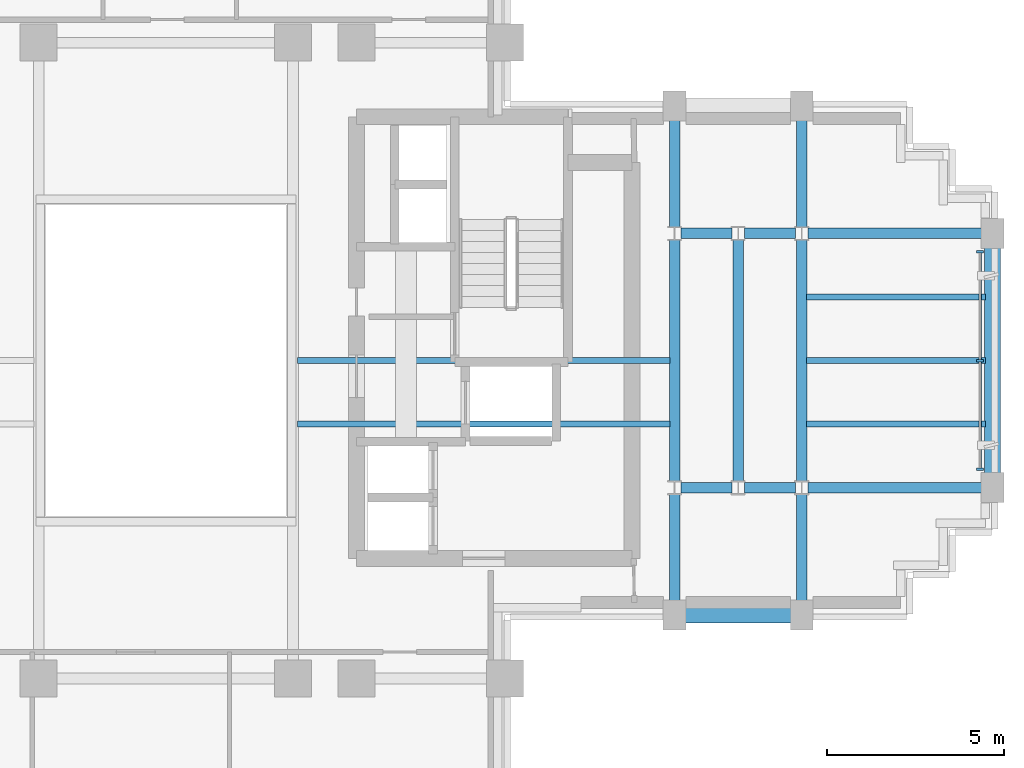
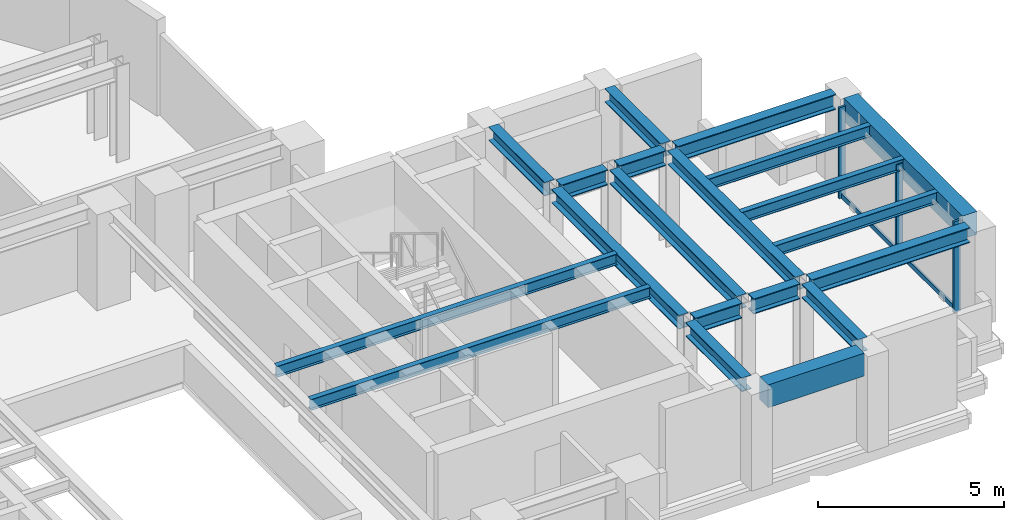
# One storey, part 5 of 13: 20 beams, 5 members, 1 element without a shape of its own.
"""IFC4 building model written with IfcOpenShell, lengths in metres."""

from ifc_helpers import new_model, si_unit, direction, frame, origin, origin_2d, place, context, subcontext, project, spatial, rectangle, i_section, extrude, source, transform, mapped, material, material_profile, profile_set, type_object, element, aggregate, save


model = new_model("IFC4")

# Units and contexts
model_context = context("Model", 3, precision=1e-05, world=origin(), true_north=direction((0.0, 1.0)))
body_context = subcontext(model_context, "Body", "Model", "MODEL_VIEW")
ifc_project = project(units=[si_unit("LENGTHUNIT", "METRE"), si_unit("AREAUNIT", "SQUARE_METRE"), si_unit("VOLUMEUNIT", "CUBIC_METRE"), si_unit("PLANEANGLEUNIT", "RADIAN"), si_unit("MASSUNIT", "GRAM", prefix="KILO")], contexts=[model_context])

# Site, building, storey
site_placement = place(None, origin())
site = spatial("IfcSite", under=ifc_project, at=site_placement, CompositionType="ELEMENT")
building_placement = place(site_placement, origin())
building = spatial("IfcBuilding", under=site, at=building_placement, Name="Keilestroom Media Tower", CompositionType="ELEMENT")
storey_placement = place(building_placement, frame((0.0, 0.0, 148.199951171875)))
storey = spatial("IfcBuildingStorey", under=building, at=storey_placement, Name="L40", CompositionType="ELEMENT", Elevation=148.199951171875)

# Beams
ifc_material_1 = material(Name="Steel S355", Category="steel")
ifc_material_profile_1 = material_profile(ifc_material_1, i_section(OverallWidth=0.169921875, OverallDepth=0.360107421875, WebThickness=0.008056640625, FlangeThickness=0.0126953125, at=origin_2d()), Name="IPE 360")
ifc_profile_set_1 = profile_set([ifc_material_profile_1], Name="Steel S355")
beam_type_1 = type_object("IfcBeamType", Name="Secondary-Floor-Joist-IPE-360", PredefinedType="JOIST", material=ifc_profile_set_1)
shared_shape_1 = source(origin(), body_context, "Body", "SweptSolid", [
    extrude(i_section(OverallWidth=0.169921875, OverallDepth=0.360107421875, WebThickness=0.008056640625, FlangeThickness=0.0126953125, at=origin_2d()), origin(), (0.0, 0.0, 1.0), 10.5400390625),
])
for number, where, z_axis, x_axis, name in (
    (1, (3.72998046875, -1.800048828125, 2.9599609375), (1.0, 0.0, 0.0), (0.0, 1.0, 0.0), "L40 Beam BJ-5 JST-L40-074"),
    (2, (3.72998046875, 0.0, 2.9599609375), (1.0, 0.0, 0.0), (0.0, 1.0, 0.0), "L40 Beam BJ-5 JST-L40-079"),
):
    element("IfcBeam", number, at=place(storey_placement, frame(where, z_axis=z_axis, x_axis=x_axis)), inside=storey, type_object=beam_type_1, Name=name, PredefinedType="JOIST", context=body_context, shape_type="MappedRepresentation", body=[
        mapped(shared_shape_1, transform((0.0, 0.0, 0.0), x_axis=(1.0, 0.0, 0.0), y_axis=(0.0, 1.0, 0.0), z_axis=(0.0, 0.0, 1.0), scale=1.0)),
    ])
ifc_material_2 = material(Name="Precast concrete C40/50", Category="concrete")
ifc_material_profile_2 = material_profile(ifc_material_2, rectangle(XDim=0.449951171875, YDim=0.75, at=origin_2d()), Name="PC 450x750")
ifc_profile_set_2 = profile_set([ifc_material_profile_2], Name="Precast concrete C40/50")
beam_type_2 = type_object("IfcBeamType", Name="Perimeter-Spandrel-Beam-PC-450x750", PredefinedType="SPANDREL", material=ifc_profile_set_2)
shared_shape_2 = source(origin(), body_context, "Body", "SweptSolid", [
    extrude(rectangle(XDim=0.449951171875, YDim=0.75, at=origin_2d()), origin(), (0.0, 0.0, 1.0), 2.989990234375),
])
beam_1_placement = place(storey_placement, frame((14.705078125, -7.199951171875, 2.76513671875), z_axis=(1.0, 0.0, 0.0), x_axis=(0.0, 1.0, 0.0)))
element("IfcBeam", 3, at=beam_1_placement, inside=storey, type_object=beam_type_2, Name="L40 Beam SPB-1 BM-L40-EW-013", PredefinedType="SPANDREL", context=body_context, shape_type="MappedRepresentation", body=[
    mapped(shared_shape_2, transform((0.0, 0.0, 0.0), x_axis=(1.0, 0.0, 0.0), y_axis=(0.0, 1.0, 0.0), z_axis=(0.0, 0.0, 1.0), scale=1.0)),
])
ifc_material_profile_3 = material_profile(ifc_material_1, i_section(OverallWidth=0.300048828125, OverallDepth=0.5, WebThickness=0.012451171875, FlangeThickness=0.028076171875, at=origin_2d()), Name="HEB 500")
ifc_profile_set_3 = profile_set([ifc_material_profile_3], Name="Steel S355")
beam_type_3 = type_object("IfcBeamType", Name="Primary-Structural-Girder-HEB-500", PredefinedType="BEAM", material=ifc_profile_set_3)
shared_shape_3 = source(origin(), body_context, "Body", "SweptSolid", [
    extrude(i_section(OverallWidth=0.300048828125, OverallDepth=0.5, WebThickness=0.012451171875, FlangeThickness=0.028076171875, at=origin_2d()), origin(), (0.0, 0.0, 1.0), 4.91455078125),
])
for number, where, z_axis, x_axis, name in (
    (4, (18.180419921875, -3.60009765625, 2.89013671875), (1.0, 0.0, 0.0), (0.0, 1.0, 0.0), "L40 Beam BG-6 BM-L40-EW-019"),
    (5, (18.180419921875, 3.60009765625, 2.89013671875), (1.0, 0.0, 0.0), (0.0, 1.0, 0.0), "L40 Beam BG-6 BM-L40-EW-025"),
):
    element("IfcBeam", number, at=place(storey_placement, frame(where, z_axis=z_axis, x_axis=x_axis)), inside=storey, type_object=beam_type_3, Name=name, PredefinedType="BEAM", context=body_context, shape_type="MappedRepresentation", body=[
        mapped(shared_shape_3, transform((0.0, 0.0, 0.0), x_axis=(1.0, 0.0, 0.0), y_axis=(0.0, 1.0, 0.0), z_axis=(0.0, 0.0, 1.0), scale=1.0)),
    ])
shared_shape_4 = source(origin(), body_context, "Body", "SweptSolid", [
    extrude(i_section(OverallWidth=0.300048828125, OverallDepth=0.5, WebThickness=0.012451171875, FlangeThickness=0.028076171875, at=origin_2d()), origin(), (0.0, 0.0, 1.0), 1.43896484375),
])
for number, where, z_axis, x_axis, name in (
    (6, (14.58056640625, -3.60009765625, 2.89013671875), (1.0, 0.0, 0.0), (0.0, 1.0, 0.0), "L40 Beam BG-6 BM-L40-EW-017"),
    (7, (16.380615234375, -3.60009765625, 2.89013671875), (1.0, 0.0, 0.0), (0.0, 1.0, 0.0), "L40 Beam BG-6 BM-L40-EW-018"),
    (8, (14.58056640625, 3.60009765625, 2.89013671875), (1.0, 0.0, 0.0), (0.0, 1.0, 0.0), "L40 Beam BG-6 BM-L40-EW-023"),
    (9, (16.380615234375, 3.60009765625, 2.89013671875), (1.0, 0.0, 0.0), (0.0, 1.0, 0.0), "L40 Beam BG-6 BM-L40-EW-024"),
):
    element("IfcBeam", number, at=place(storey_placement, frame(where, z_axis=z_axis, x_axis=x_axis)), inside=storey, type_object=beam_type_3, Name=name, PredefinedType="BEAM", context=body_context, shape_type="MappedRepresentation", body=[
        mapped(shared_shape_4, transform((0.0, 0.0, 0.0), x_axis=(1.0, 0.0, 0.0), y_axis=(0.0, 1.0, 0.0), z_axis=(0.0, 0.0, 1.0), scale=1.0)),
    ])
shared_shape_5 = source(origin(), body_context, "Body", "SweptSolid", [
    extrude(rectangle(XDim=0.449951171875, YDim=0.75, at=origin_2d()), origin(), (0.0, 0.0, 1.0), 6.39013671875),
])
beam_2_placement = place(storey_placement, frame((23.39990234375, -3.195068359375, 2.76513671875), z_axis=(0.0, 1.0, 0.0), x_axis=(-1.0, 0.0, 0.0)))
element("IfcBeam", 10, at=beam_2_placement, inside=storey, type_object=beam_type_2, Name="L40 Beam SPB-1 BM-L40-NS-068", PredefinedType="SPANDREL", context=body_context, shape_type="MappedRepresentation", body=[
    mapped(shared_shape_5, transform((0.0, 0.0, 0.0), x_axis=(1.0, 0.0, 0.0), y_axis=(0.0, 1.0, 0.0), z_axis=(0.0, 0.0, 1.0), scale=1.0)),
])
ifc_material_profile_4 = material_profile(ifc_material_1, i_section(OverallWidth=0.300048828125, OverallDepth=0.449951171875, WebThickness=0.011962890625, FlangeThickness=0.02587890625, at=origin_2d()), Name="HEB 450")
ifc_profile_set_4 = profile_set([ifc_material_profile_4], Name="Steel S355")
beam_type_4 = type_object("IfcBeamType", Name="Primary-Structural-Girder-HEB-450", PredefinedType="BEAM", material=ifc_profile_set_4)
shared_shape_6 = source(origin(), body_context, "Body", "SweptSolid", [
    extrude(i_section(OverallWidth=0.300048828125, OverallDepth=0.449951171875, WebThickness=0.011962890625, FlangeThickness=0.02587890625, at=origin_2d()), origin(), (0.0, 0.0, 1.0), 3.015380859375),
])
for number, where, z_axis, x_axis, name in (
    (11, (14.39990234375, -6.794921875, 2.9150390625), (0.0, 1.0, 0.0), (-1.0, 0.0, 0.0), "L40 Beam BG-7 BM-L40-NS-061"),
    (12, (14.39990234375, 3.779541015625, 2.9150390625), (0.0, 1.0, 0.0), (-1.0, 0.0, 0.0), "L40 Beam BG-7 BM-L40-NS-063"),
    (13, (18.0, -6.794921875, 2.9150390625), (0.0, 1.0, 0.0), (-1.0, 0.0, 0.0), "L40 Beam BG-7 BM-L40-NS-065"),
    (14, (18.0, 3.779541015625, 2.9150390625), (0.0, 1.0, 0.0), (-1.0, 0.0, 0.0), "L40 Beam BG-7 BM-L40-NS-067"),
):
    element("IfcBeam", number, at=place(storey_placement, frame(where, z_axis=z_axis, x_axis=x_axis)), inside=storey, type_object=beam_type_4, Name=name, PredefinedType="BEAM", context=body_context, shape_type="MappedRepresentation", body=[
        mapped(shared_shape_6, transform((0.0, 0.0, 0.0), x_axis=(1.0, 0.0, 0.0), y_axis=(0.0, 1.0, 0.0), z_axis=(0.0, 0.0, 1.0), scale=1.0)),
    ])
shared_shape_7 = source(origin(), body_context, "Body", "SweptSolid", [
    extrude(i_section(OverallWidth=0.300048828125, OverallDepth=0.449951171875, WebThickness=0.011962890625, FlangeThickness=0.02587890625, at=origin_2d()), origin(), (0.0, 0.0, 1.0), 6.8408203125),
])
for number, where, z_axis, x_axis, name in (
    (15, (14.39990234375, -3.42041015625, 2.9150390625), (0.0, 1.0, 0.0), (-1.0, 0.0, 0.0), "L40 Beam BG-7 BM-L40-NS-062"),
    (16, (16.199951171875, -3.42041015625, 2.9150390625), (0.0, 1.0, 0.0), (-1.0, 0.0, 0.0), "L40 Beam BG-7 BM-L40-NS-064"),
    (17, (18.0, -3.42041015625, 2.9150390625), (0.0, 1.0, 0.0), (-1.0, 0.0, 0.0), "L40 Beam BG-7 BM-L40-NS-066"),
):
    element("IfcBeam", number, at=place(storey_placement, frame(where, z_axis=z_axis, x_axis=x_axis)), inside=storey, type_object=beam_type_4, Name=name, PredefinedType="BEAM", context=body_context, shape_type="MappedRepresentation", body=[
        mapped(shared_shape_7, transform((0.0, 0.0, 0.0), x_axis=(1.0, 0.0, 0.0), y_axis=(0.0, 1.0, 0.0), z_axis=(0.0, 0.0, 1.0), scale=1.0)),
    ])
shared_shape_8 = source(origin(), body_context, "Body", "SweptSolid", [
    extrude(i_section(OverallWidth=0.169921875, OverallDepth=0.360107421875, WebThickness=0.008056640625, FlangeThickness=0.0126953125, at=origin_2d()), origin(), (0.0, 0.0, 1.0), 5.065185546875),
])
for number, where, z_axis, x_axis, name in (
    (18, (18.1298828125, -1.800048828125, 2.9599609375), (1.0, 0.0, 0.0), (0.0, 1.0, 0.0), "L40 Beam BJ-5 JST-L40-075"),
    (19, (18.1298828125, 0.0, 2.9599609375), (1.0, 0.0, 0.0), (0.0, 1.0, 0.0), "L40 Beam BJ-5 JST-L40-080"),
    (20, (18.1298828125, 1.800048828125, 2.9599609375), (1.0, 0.0, 0.0), (0.0, 1.0, 0.0), "L40 Beam BJ-5 JST-L40-085"),
):
    element("IfcBeam", number, at=place(storey_placement, frame(where, z_axis=z_axis, x_axis=x_axis)), inside=storey, type_object=beam_type_1, Name=name, PredefinedType="JOIST", context=body_context, shape_type="MappedRepresentation", body=[
        mapped(shared_shape_8, transform((0.0, 0.0, 0.0), x_axis=(1.0, 0.0, 0.0), y_axis=(0.0, 1.0, 0.0), z_axis=(0.0, 0.0, 1.0), scale=1.0)),
    ])

# Curtain wall, members
ifc_material_3 = material(Name="Anodised Aluminium Alloy", Category="aluminium")
curtain_wall_type = type_object("IfcCurtainWallType", Name="Unitised-Curtain-Wall-CW-2", PredefinedType="NOTDEFINED", material=ifc_material_3)
curtain_wall_placement = place(storey_placement, origin())
curtain_wall = element("IfcCurtainWall", 21, at=curtain_wall_placement, inside=storey, type_object=curtain_wall_type, Name="L40 Curtain Wall CW-2 CW-L40-E-1", PredefinedType="NOTDEFINED")
ifc_material_profile_5 = material_profile(ifc_material_3, rectangle(XDim=0.070068359375, YDim=0.199951171875, at=origin_2d()), Name="ALU MULLION 70x200")
ifc_profile_set_5 = profile_set([ifc_material_profile_5], Name="Anodised Aluminium Alloy")
member_type_1 = type_object("IfcMemberType", Name="Curtain-Wall-Mullion-CW-2", PredefinedType="MULLION", material=ifc_profile_set_5)
shared_shape_9 = source(origin(), body_context, "Body", "SweptSolid", [
    extrude(rectangle(XDim=0.070068359375, YDim=0.199951171875, at=origin_2d()), origin(), (0.0, 0.0, 1.0), 2.97998046875),
])
member_1_placement = place(storey_placement, frame((23.050048828125, -3.080078125, 0.0), z_axis=(0.0, 0.0, 1.0), x_axis=(0.0, 1.0, 0.0)))
member_1 = element("IfcMember", 22, at=member_1_placement, type_object=member_type_1, Name="CW-2 Mullion 00", PredefinedType="MULLION", context=body_context, shape_type="MappedRepresentation", body=[
    mapped(shared_shape_9, transform((0.0, 0.0, 0.0), x_axis=(1.0, 0.0, 0.0), y_axis=(0.0, 1.0, 0.0), z_axis=(0.0, 0.0, 1.0), scale=1.0)),
])
member_2_placement = place(storey_placement, frame((23.050048828125, 0.0, 0.0), z_axis=(0.0, 0.0, 1.0), x_axis=(0.0, 1.0, 0.0)))
member_2 = element("IfcMember", 23, at=member_2_placement, type_object=member_type_1, Name="CW-2 Mullion 01", PredefinedType="MULLION", context=body_context, shape_type="MappedRepresentation", body=[
    mapped(shared_shape_9, transform((0.0, 0.0, 0.0), x_axis=(1.0, 0.0, 0.0), y_axis=(0.0, 1.0, 0.0), z_axis=(0.0, 0.0, 1.0), scale=1.0)),
])
member_3_placement = place(storey_placement, frame((23.050048828125, 3.080078125, 0.0), z_axis=(0.0, 0.0, 1.0), x_axis=(0.0, 1.0, 0.0)))
member_3 = element("IfcMember", 24, at=member_3_placement, type_object=member_type_1, Name="CW-2 Mullion 02", PredefinedType="MULLION", context=body_context, shape_type="MappedRepresentation", body=[
    mapped(shared_shape_9, transform((0.0, 0.0, 0.0), x_axis=(1.0, 0.0, 0.0), y_axis=(0.0, 1.0, 0.0), z_axis=(0.0, 0.0, 1.0), scale=1.0)),
])
ifc_material_profile_6 = material_profile(ifc_material_3, rectangle(XDim=0.06494140625, YDim=0.14990234375, at=origin_2d()), Name="ALU TRANSOM 65x150")
ifc_profile_set_6 = profile_set([ifc_material_profile_6], Name="Anodised Aluminium Alloy")
member_type_2 = type_object("IfcMemberType", Name="Curtain-Wall-Transom-CW-2", PredefinedType="USERDEFINED", material=ifc_profile_set_6)
shared_shape_10 = source(origin(), body_context, "Body", "SweptSolid", [
    extrude(rectangle(XDim=0.06494140625, YDim=0.14990234375, at=origin_2d()), origin(), (0.0, 0.0, 1.0), 3.01416015625),
])
member_4_placement = place(storey_placement, frame((23.050048828125, -3.047119140625, 0.074951171875), z_axis=(0.0, 1.0, 0.0), x_axis=(-1.0, 0.0, 0.0)))
member_4 = element("IfcMember", 25, at=member_4_placement, type_object=member_type_2, Name="CW-2 Transom 00.1", ObjectType="TRANSOM", PredefinedType="USERDEFINED", context=body_context, shape_type="MappedRepresentation", body=[
    mapped(shared_shape_10, transform((0.0, 0.0, 0.0), x_axis=(1.0, 0.0, 0.0), y_axis=(0.0, 1.0, 0.0), z_axis=(0.0, 0.0, 1.0), scale=1.0)),
])
member_5_placement = place(storey_placement, frame((23.050048828125, 0.032958984375, 0.074951171875), z_axis=(0.0, 1.0, 0.0), x_axis=(-1.0, 0.0, 0.0)))
member_5 = element("IfcMember", 26, at=member_5_placement, type_object=member_type_2, Name="CW-2 Transom 01.1", ObjectType="TRANSOM", PredefinedType="USERDEFINED", context=body_context, shape_type="MappedRepresentation", body=[
    mapped(shared_shape_10, transform((0.0, 0.0, 0.0), x_axis=(1.0, 0.0, 0.0), y_axis=(0.0, 1.0, 0.0), z_axis=(0.0, 0.0, 1.0), scale=1.0)),
])
aggregate(curtain_wall, [member_1, member_2, member_3, member_4, member_5])

save(model, "model.ifc")
